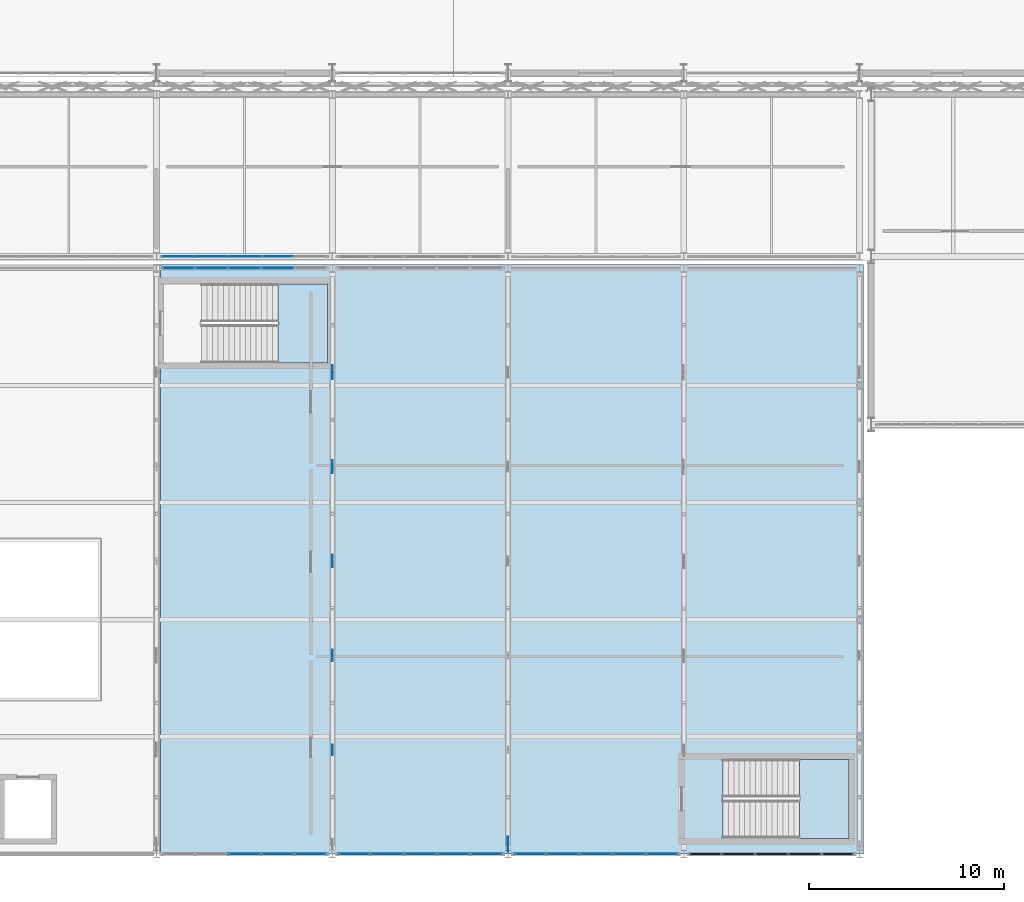
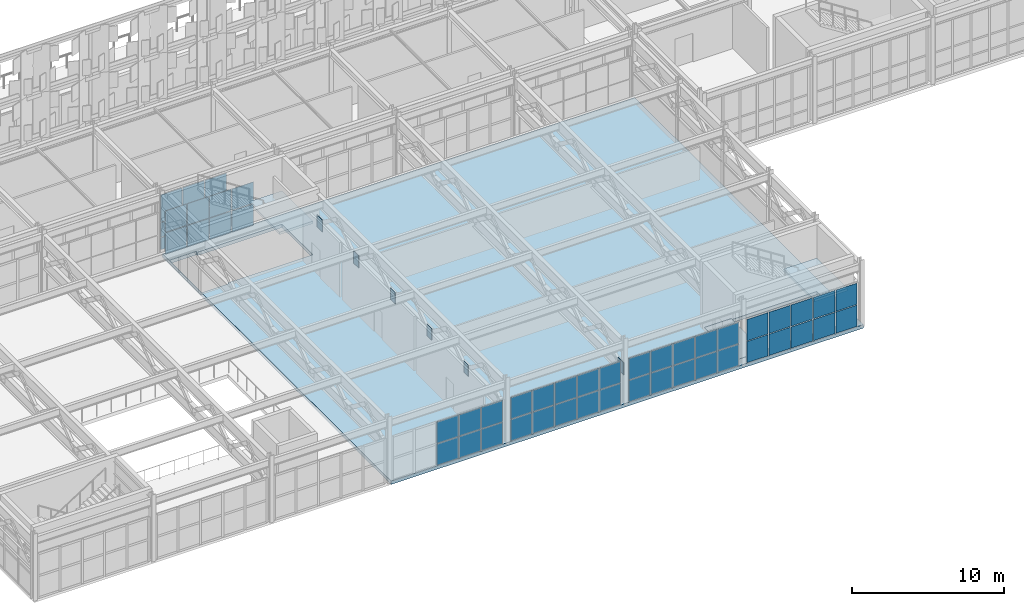
# One storey, part 133 of 210: 60 plates, 4 slabs, 8 elements without a shape of their own.
"""IFC4 building model written with IfcOpenShell, lengths in metres."""

from ifc_helpers import new_model, si_unit, direction, frame, origin, origin_2d, place, context, subcontext, project, spatial, polyline, rectangle, outline, extrude, material, layer, layer_set, type_object, element, aggregate, save


model = new_model("IFC4")

# Units and contexts
model_context = context("Model", 3, precision=1e-05, world=origin(), true_north=direction((0.0, 1.0)))
body_context = subcontext(model_context, "Body", "Model", "MODEL_VIEW")
ifc_project = project(units=[si_unit("LENGTHUNIT", "METRE"), si_unit("AREAUNIT", "SQUARE_METRE"), si_unit("VOLUMEUNIT", "CUBIC_METRE"), si_unit("PLANEANGLEUNIT", "RADIAN"), si_unit("MASSUNIT", "GRAM", prefix="KILO")], contexts=[model_context])

# Site, building, storey
site_placement = place(None, origin())
site = spatial("IfcSite", under=ifc_project, at=site_placement, CompositionType="ELEMENT")
building_placement = place(site_placement, origin())
building = spatial("IfcBuilding", under=site, at=building_placement, Name="Kaldris Quays Convention Centre", CompositionType="ELEMENT")
storey_placement = place(building_placement, frame((0.0, 0.0, 6.0)))
storey = spatial("IfcBuildingStorey", under=building, at=storey_placement, Name="L01", CompositionType="ELEMENT", Elevation=6.0)

# Curtain wall, plates
ifc_material_1 = material(Name="Anodized aluminium AW-6060 and triple glazing", Category="aluminium")
curtain_wall_type_1 = type_object("IfcCurtainWallType", Name="UNITISED CURTAIN WALL CW05", PredefinedType="NOTDEFINED", material=ifc_material_1)
curtain_wall_1_placement = place(storey_placement, origin())
curtain_wall_1 = element("IfcCurtainWall", 1, at=curtain_wall_1_placement, inside=storey, type_object=curtain_wall_type_1, Name="L01 Unitised Curtain Wall CW05 65", PredefinedType="NOTDEFINED")
ifc_material_2 = material(Name="Triple low-E insulated glazing", Category="glass")
plate_type_1 = type_object("IfcPlateType", Name="CURTAIN GLAZING PANEL CWP1", PredefinedType="CURTAIN_PANEL", material=ifc_material_2)
plate_1_placement = place(storey_placement, frame((51.5, 16.0, 0.06005859375), z_axis=(0.0, 0.0, 1.0), x_axis=(1.0, 0.0, 0.0)))
plate_1 = element("IfcPlate", 2, at=plate_1_placement, type_object=plate_type_1, Name="CW05 panel 3.1", PredefinedType="CURTAIN_PANEL", context=body_context, shape_type="SweptSolid", body=[
    extrude(rectangle(XDim=1.639892578125, YDim=0.029052734375, at=origin_2d()), origin(), (0.0, 0.0, 1.0), 1.7099609375),
])
plate_2_placement = place(storey_placement, frame((51.5, 16.0, 1.830078125), z_axis=(0.0, 0.0, 1.0), x_axis=(1.0, 0.0, 0.0)))
plate_2 = element("IfcPlate", 3, at=plate_2_placement, type_object=plate_type_1, Name="CW05 panel 3.2", PredefinedType="CURTAIN_PANEL", context=body_context, shape_type="SweptSolid", body=[
    extrude(rectangle(XDim=1.639892578125, YDim=0.029052734375, at=origin_2d()), origin(), (0.0, 0.0, 1.0), 1.7099609375),
])
plate_3_placement = place(storey_placement, frame((53.199951171875, 16.0, 0.06005859375), z_axis=(0.0, 0.0, 1.0), x_axis=(1.0, 0.0, 0.0)))
plate_3 = element("IfcPlate", 4, at=plate_3_placement, type_object=plate_type_1, Name="CW05 panel 4.1", PredefinedType="CURTAIN_PANEL", context=body_context, shape_type="SweptSolid", body=[
    extrude(rectangle(XDim=1.639892578125, YDim=0.029052734375, at=origin_2d()), origin(), (0.0, 0.0, 1.0), 1.7099609375),
])
plate_4_placement = place(storey_placement, frame((53.199951171875, 16.0, 1.830078125), z_axis=(0.0, 0.0, 1.0), x_axis=(1.0, 0.0, 0.0)))
plate_4 = element("IfcPlate", 5, at=plate_4_placement, type_object=plate_type_1, Name="CW05 panel 4.2", PredefinedType="CURTAIN_PANEL", context=body_context, shape_type="SweptSolid", body=[
    extrude(rectangle(XDim=1.639892578125, YDim=0.029052734375, at=origin_2d()), origin(), (0.0, 0.0, 1.0), 1.7099609375),
])
plate_5_placement = place(storey_placement, frame((54.885009765625, 16.0, 0.06005859375), z_axis=(0.0, 0.0, 1.0), x_axis=(1.0, 0.0, 0.0)))
plate_5 = element("IfcPlate", 6, at=plate_5_placement, type_object=plate_type_1, Name="CW05 panel 5.1", PredefinedType="CURTAIN_PANEL", context=body_context, shape_type="SweptSolid", body=[
    extrude(rectangle(XDim=1.610107421875, YDim=0.029052734375, at=origin_2d()), origin(), (0.0, 0.0, 1.0), 1.7099609375),
])
plate_6_placement = place(storey_placement, frame((54.885009765625, 16.0, 1.830078125), z_axis=(0.0, 0.0, 1.0), x_axis=(1.0, 0.0, 0.0)))
plate_6 = element("IfcPlate", 7, at=plate_6_placement, type_object=plate_type_1, Name="CW05 panel 5.2", PredefinedType="CURTAIN_PANEL", context=body_context, shape_type="SweptSolid", body=[
    extrude(rectangle(XDim=1.610107421875, YDim=0.029052734375, at=origin_2d()), origin(), (0.0, 0.0, 1.0), 1.7099609375),
])
aggregate(curtain_wall_1, [plate_1, plate_2, plate_3, plate_4, plate_5, plate_6])

curtain_wall_2_placement = place(storey_placement, origin())
curtain_wall_2 = element("IfcCurtainWall", 8, at=curtain_wall_2_placement, inside=storey, type_object=curtain_wall_type_1, Name="L01 Unitised Curtain Wall CW05 66", PredefinedType="NOTDEFINED")
plate_type_2 = type_object("IfcPlateType", Name="CURTAIN GLAZING PANEL CWP2", PredefinedType="CURTAIN_PANEL", material=ifc_material_2)
plate_7_placement = place(storey_placement, frame((48.114990234375, 46.0, 0.06005859375), z_axis=(0.0, 0.0, 1.0), x_axis=(1.0, 0.0, 0.0)))
plate_7 = element("IfcPlate", 9, at=plate_7_placement, type_object=plate_type_2, Name="CW05 panel 1.1", PredefinedType="CURTAIN_PANEL", context=body_context, shape_type="SweptSolid", body=[
    extrude(rectangle(XDim=1.610107421875, YDim=0.033935546875, at=origin_2d()), origin(), (0.0, 0.0, 1.0), 1.7099609375),
])
plate_8_placement = place(storey_placement, frame((48.114990234375, 46.0, 1.830078125), z_axis=(0.0, 0.0, 1.0), x_axis=(1.0, 0.0, 0.0)))
plate_8 = element("IfcPlate", 10, at=plate_8_placement, type_object=plate_type_2, Name="CW05 panel 1.2", PredefinedType="CURTAIN_PANEL", context=body_context, shape_type="SweptSolid", body=[
    extrude(rectangle(XDim=1.610107421875, YDim=0.033935546875, at=origin_2d()), origin(), (0.0, 0.0, 1.0), 1.7099609375),
])
plate_9_placement = place(storey_placement, frame((49.800048828125, 46.0, 0.06005859375), z_axis=(0.0, 0.0, 1.0), x_axis=(1.0, 0.0, 0.0)))
plate_9 = element("IfcPlate", 11, at=plate_9_placement, type_object=plate_type_2, Name="CW05 panel 2.1", PredefinedType="CURTAIN_PANEL", context=body_context, shape_type="SweptSolid", body=[
    extrude(rectangle(XDim=1.639892578125, YDim=0.033935546875, at=origin_2d()), origin(), (0.0, 0.0, 1.0), 1.7099609375),
])
plate_10_placement = place(storey_placement, frame((49.800048828125, 46.0, 1.830078125), z_axis=(0.0, 0.0, 1.0), x_axis=(1.0, 0.0, 0.0)))
plate_10 = element("IfcPlate", 12, at=plate_10_placement, type_object=plate_type_2, Name="CW05 panel 2.2", PredefinedType="CURTAIN_PANEL", context=body_context, shape_type="SweptSolid", body=[
    extrude(rectangle(XDim=1.639892578125, YDim=0.033935546875, at=origin_2d()), origin(), (0.0, 0.0, 1.0), 1.7099609375),
])
plate_11_placement = place(storey_placement, frame((51.5, 46.0, 0.06005859375), z_axis=(0.0, 0.0, 1.0), x_axis=(1.0, 0.0, 0.0)))
plate_11 = element("IfcPlate", 13, at=plate_11_placement, type_object=plate_type_2, Name="CW05 panel 3.1", PredefinedType="CURTAIN_PANEL", context=body_context, shape_type="SweptSolid", body=[
    extrude(rectangle(XDim=1.639892578125, YDim=0.033935546875, at=origin_2d()), origin(), (0.0, 0.0, 1.0), 1.7099609375),
])
plate_12_placement = place(storey_placement, frame((51.5, 46.0, 1.830078125), z_axis=(0.0, 0.0, 1.0), x_axis=(1.0, 0.0, 0.0)))
plate_12 = element("IfcPlate", 14, at=plate_12_placement, type_object=plate_type_2, Name="CW05 panel 3.2", PredefinedType="CURTAIN_PANEL", context=body_context, shape_type="SweptSolid", body=[
    extrude(rectangle(XDim=1.639892578125, YDim=0.033935546875, at=origin_2d()), origin(), (0.0, 0.0, 1.0), 1.7099609375),
])
plate_13_placement = place(storey_placement, frame((53.199951171875, 46.0, 0.06005859375), z_axis=(0.0, 0.0, 1.0), x_axis=(1.0, 0.0, 0.0)))
plate_13 = element("IfcPlate", 15, at=plate_13_placement, type_object=plate_type_2, Name="CW05 panel 4.1", PredefinedType="CURTAIN_PANEL", context=body_context, shape_type="SweptSolid", body=[
    extrude(rectangle(XDim=1.639892578125, YDim=0.033935546875, at=origin_2d()), origin(), (0.0, 0.0, 1.0), 1.7099609375),
])
plate_14_placement = place(storey_placement, frame((53.199951171875, 46.0, 1.830078125), z_axis=(0.0, 0.0, 1.0), x_axis=(1.0, 0.0, 0.0)))
plate_14 = element("IfcPlate", 16, at=plate_14_placement, type_object=plate_type_2, Name="CW05 panel 4.2", PredefinedType="CURTAIN_PANEL", context=body_context, shape_type="SweptSolid", body=[
    extrude(rectangle(XDim=1.639892578125, YDim=0.033935546875, at=origin_2d()), origin(), (0.0, 0.0, 1.0), 1.7099609375),
])
aggregate(curtain_wall_2, [plate_7, plate_8, plate_9, plate_10, plate_11, plate_12, plate_13, plate_14])

curtain_wall_3_placement = place(storey_placement, origin())
curtain_wall_3 = element("IfcCurtainWall", 17, at=curtain_wall_3_placement, inside=storey, type_object=curtain_wall_type_1, Name="L01 Unitised Curtain Wall CW05 67", PredefinedType="NOTDEFINED")
plate_type_3 = type_object("IfcPlateType", Name="CURTAIN GLAZING PANEL CWP3", PredefinedType="CURTAIN_PANEL", material=ifc_material_2)
plate_15_placement = place(storey_placement, frame((57.114990234375, 16.0, 0.06005859375), z_axis=(0.0, 0.0, 1.0), x_axis=(1.0, 0.0, 0.0)))
plate_15 = element("IfcPlate", 18, at=plate_15_placement, type_object=plate_type_3, Name="CW05 panel 1.1", PredefinedType="CURTAIN_PANEL", context=body_context, shape_type="SweptSolid", body=[
    extrude(rectangle(XDim=1.610107421875, YDim=0.0390625, at=origin_2d()), origin(), (0.0, 0.0, 1.0), 1.7099609375),
])
plate_16_placement = place(storey_placement, frame((57.114990234375, 16.0, 1.830078125), z_axis=(0.0, 0.0, 1.0), x_axis=(1.0, 0.0, 0.0)))
plate_16 = element("IfcPlate", 19, at=plate_16_placement, type_object=plate_type_3, Name="CW05 panel 1.2", PredefinedType="CURTAIN_PANEL", context=body_context, shape_type="SweptSolid", body=[
    extrude(rectangle(XDim=1.610107421875, YDim=0.0390625, at=origin_2d()), origin(), (0.0, 0.0, 1.0), 1.7099609375),
])
plate_17_placement = place(storey_placement, frame((58.800048828125, 16.0, 0.06005859375), z_axis=(0.0, 0.0, 1.0), x_axis=(1.0, 0.0, 0.0)))
plate_17 = element("IfcPlate", 20, at=plate_17_placement, type_object=plate_type_3, Name="CW05 panel 2.1", PredefinedType="CURTAIN_PANEL", context=body_context, shape_type="SweptSolid", body=[
    extrude(rectangle(XDim=1.639892578125, YDim=0.0390625, at=origin_2d()), origin(), (0.0, 0.0, 1.0), 1.7099609375),
])
plate_18_placement = place(storey_placement, frame((58.800048828125, 16.0, 1.830078125), z_axis=(0.0, 0.0, 1.0), x_axis=(1.0, 0.0, 0.0)))
plate_18 = element("IfcPlate", 21, at=plate_18_placement, type_object=plate_type_3, Name="CW05 panel 2.2", PredefinedType="CURTAIN_PANEL", context=body_context, shape_type="SweptSolid", body=[
    extrude(rectangle(XDim=1.639892578125, YDim=0.0390625, at=origin_2d()), origin(), (0.0, 0.0, 1.0), 1.7099609375),
])
plate_19_placement = place(storey_placement, frame((60.5, 16.0, 0.06005859375), z_axis=(0.0, 0.0, 1.0), x_axis=(1.0, 0.0, 0.0)))
plate_19 = element("IfcPlate", 22, at=plate_19_placement, type_object=plate_type_3, Name="CW05 panel 3.1", PredefinedType="CURTAIN_PANEL", context=body_context, shape_type="SweptSolid", body=[
    extrude(rectangle(XDim=1.639892578125, YDim=0.0390625, at=origin_2d()), origin(), (0.0, 0.0, 1.0), 1.7099609375),
])
plate_20_placement = place(storey_placement, frame((60.5, 16.0, 1.830078125), z_axis=(0.0, 0.0, 1.0), x_axis=(1.0, 0.0, 0.0)))
plate_20 = element("IfcPlate", 23, at=plate_20_placement, type_object=plate_type_3, Name="CW05 panel 3.2", PredefinedType="CURTAIN_PANEL", context=body_context, shape_type="SweptSolid", body=[
    extrude(rectangle(XDim=1.639892578125, YDim=0.0390625, at=origin_2d()), origin(), (0.0, 0.0, 1.0), 1.7099609375),
])
plate_21_placement = place(storey_placement, frame((62.199951171875, 16.0, 0.06005859375), z_axis=(0.0, 0.0, 1.0), x_axis=(1.0, 0.0, 0.0)))
plate_21 = element("IfcPlate", 24, at=plate_21_placement, type_object=plate_type_3, Name="CW05 panel 4.1", PredefinedType="CURTAIN_PANEL", context=body_context, shape_type="SweptSolid", body=[
    extrude(rectangle(XDim=1.639892578125, YDim=0.0390625, at=origin_2d()), origin(), (0.0, 0.0, 1.0), 1.7099609375),
])
plate_22_placement = place(storey_placement, frame((62.199951171875, 16.0, 1.830078125), z_axis=(0.0, 0.0, 1.0), x_axis=(1.0, 0.0, 0.0)))
plate_22 = element("IfcPlate", 25, at=plate_22_placement, type_object=plate_type_3, Name="CW05 panel 4.2", PredefinedType="CURTAIN_PANEL", context=body_context, shape_type="SweptSolid", body=[
    extrude(rectangle(XDim=1.639892578125, YDim=0.0390625, at=origin_2d()), origin(), (0.0, 0.0, 1.0), 1.7099609375),
])
plate_23_placement = place(storey_placement, frame((63.885009765625, 16.0, 0.06005859375), z_axis=(0.0, 0.0, 1.0), x_axis=(1.0, 0.0, 0.0)))
plate_23 = element("IfcPlate", 26, at=plate_23_placement, type_object=plate_type_3, Name="CW05 panel 5.1", PredefinedType="CURTAIN_PANEL", context=body_context, shape_type="SweptSolid", body=[
    extrude(rectangle(XDim=1.610107421875, YDim=0.0390625, at=origin_2d()), origin(), (0.0, 0.0, 1.0), 1.7099609375),
])
plate_24_placement = place(storey_placement, frame((63.885009765625, 16.0, 1.830078125), z_axis=(0.0, 0.0, 1.0), x_axis=(1.0, 0.0, 0.0)))
plate_24 = element("IfcPlate", 27, at=plate_24_placement, type_object=plate_type_3, Name="CW05 panel 5.2", PredefinedType="CURTAIN_PANEL", context=body_context, shape_type="SweptSolid", body=[
    extrude(rectangle(XDim=1.610107421875, YDim=0.0390625, at=origin_2d()), origin(), (0.0, 0.0, 1.0), 1.7099609375),
])
aggregate(curtain_wall_3, [plate_15, plate_16, plate_17, plate_18, plate_19, plate_20, plate_21, plate_22, plate_23, plate_24])

curtain_wall_type_2 = type_object("IfcCurtainWallType", Name="UNITISED CURTAIN WALL CW02", PredefinedType="NOTDEFINED", material=ifc_material_1)
curtain_wall_4_placement = place(storey_placement, origin())
curtain_wall_4 = element("IfcCurtainWall", 28, at=curtain_wall_4_placement, inside=storey, type_object=curtain_wall_type_2, Name="L01 Unitised Curtain Wall CW02 92", PredefinedType="NOTDEFINED")
plate_type_4 = type_object("IfcPlateType", Name="CURTAIN GLAZING PANEL CWP4", PredefinedType="CURTAIN_PANEL", material=ifc_material_2)
plate_25_placement = place(storey_placement, frame((48.114990234375, 46.60009765625, 0.06005859375), z_axis=(0.0, 0.0, 1.0), x_axis=(1.0, 0.0, 0.0)))
plate_25 = element("IfcPlate", 29, at=plate_25_placement, type_object=plate_type_4, Name="CW02 panel 1.1", PredefinedType="CURTAIN_PANEL", context=body_context, shape_type="SweptSolid", body=[
    extrude(rectangle(XDim=1.610107421875, YDim=0.0439453125, at=origin_2d()), origin(), (0.0, 0.0, 1.0), 0.9599609375),
])
plate_26_placement = place(storey_placement, frame((48.114990234375, 46.60009765625, 1.080078125), z_axis=(0.0, 0.0, 1.0), x_axis=(1.0, 0.0, 0.0)))
plate_26 = element("IfcPlate", 30, at=plate_26_placement, type_object=plate_type_4, Name="CW02 panel 1.2", PredefinedType="CURTAIN_PANEL", context=body_context, shape_type="SweptSolid", body=[
    extrude(rectangle(XDim=1.610107421875, YDim=0.0439453125, at=origin_2d()), origin(), (0.0, 0.0, 1.0), 1.154052734375),
])
plate_27_placement = place(storey_placement, frame((48.114990234375, 46.60009765625, 2.2939453125), z_axis=(0.0, 0.0, 1.0), x_axis=(1.0, 0.0, 0.0)))
plate_27 = element("IfcPlate", 31, at=plate_27_placement, type_object=plate_type_4, Name="CW02 panel 1.3", PredefinedType="CURTAIN_PANEL", context=body_context, shape_type="SweptSolid", body=[
    extrude(rectangle(XDim=1.610107421875, YDim=0.0439453125, at=origin_2d()), origin(), (0.0, 0.0, 1.0), 2.174072265625),
])
plate_28_placement = place(storey_placement, frame((49.800048828125, 46.60009765625, 0.06005859375), z_axis=(0.0, 0.0, 1.0), x_axis=(1.0, 0.0, 0.0)))
plate_28 = element("IfcPlate", 32, at=plate_28_placement, type_object=plate_type_4, Name="CW02 panel 2.1", PredefinedType="CURTAIN_PANEL", context=body_context, shape_type="SweptSolid", body=[
    extrude(rectangle(XDim=1.639892578125, YDim=0.0439453125, at=origin_2d()), origin(), (0.0, 0.0, 1.0), 0.9599609375),
])
plate_29_placement = place(storey_placement, frame((49.800048828125, 46.60009765625, 1.080078125), z_axis=(0.0, 0.0, 1.0), x_axis=(1.0, 0.0, 0.0)))
plate_29 = element("IfcPlate", 33, at=plate_29_placement, type_object=plate_type_4, Name="CW02 panel 2.2", PredefinedType="CURTAIN_PANEL", context=body_context, shape_type="SweptSolid", body=[
    extrude(rectangle(XDim=1.639892578125, YDim=0.0439453125, at=origin_2d()), origin(), (0.0, 0.0, 1.0), 1.154052734375),
])
plate_30_placement = place(storey_placement, frame((49.800048828125, 46.60009765625, 2.2939453125), z_axis=(0.0, 0.0, 1.0), x_axis=(1.0, 0.0, 0.0)))
plate_30 = element("IfcPlate", 34, at=plate_30_placement, type_object=plate_type_4, Name="CW02 panel 2.3", PredefinedType="CURTAIN_PANEL", context=body_context, shape_type="SweptSolid", body=[
    extrude(rectangle(XDim=1.639892578125, YDim=0.0439453125, at=origin_2d()), origin(), (0.0, 0.0, 1.0), 2.174072265625),
])
plate_31_placement = place(storey_placement, frame((51.5, 46.60009765625, 0.06005859375), z_axis=(0.0, 0.0, 1.0), x_axis=(1.0, 0.0, 0.0)))
plate_31 = element("IfcPlate", 35, at=plate_31_placement, type_object=plate_type_4, Name="CW02 panel 3.1", PredefinedType="CURTAIN_PANEL", context=body_context, shape_type="SweptSolid", body=[
    extrude(rectangle(XDim=1.639892578125, YDim=0.0439453125, at=origin_2d()), origin(), (0.0, 0.0, 1.0), 0.9599609375),
])
plate_32_placement = place(storey_placement, frame((51.5, 46.60009765625, 1.080078125), z_axis=(0.0, 0.0, 1.0), x_axis=(1.0, 0.0, 0.0)))
plate_32 = element("IfcPlate", 36, at=plate_32_placement, type_object=plate_type_4, Name="CW02 panel 3.2", PredefinedType="CURTAIN_PANEL", context=body_context, shape_type="SweptSolid", body=[
    extrude(rectangle(XDim=1.639892578125, YDim=0.0439453125, at=origin_2d()), origin(), (0.0, 0.0, 1.0), 1.154052734375),
])
plate_33_placement = place(storey_placement, frame((51.5, 46.60009765625, 2.2939453125), z_axis=(0.0, 0.0, 1.0), x_axis=(1.0, 0.0, 0.0)))
plate_33 = element("IfcPlate", 37, at=plate_33_placement, type_object=plate_type_4, Name="CW02 panel 3.3", PredefinedType="CURTAIN_PANEL", context=body_context, shape_type="SweptSolid", body=[
    extrude(rectangle(XDim=1.639892578125, YDim=0.0439453125, at=origin_2d()), origin(), (0.0, 0.0, 1.0), 2.174072265625),
])
plate_34_placement = place(storey_placement, frame((53.199951171875, 46.60009765625, 0.06005859375), z_axis=(0.0, 0.0, 1.0), x_axis=(1.0, 0.0, 0.0)))
plate_34 = element("IfcPlate", 38, at=plate_34_placement, type_object=plate_type_4, Name="CW02 panel 4.1", PredefinedType="CURTAIN_PANEL", context=body_context, shape_type="SweptSolid", body=[
    extrude(rectangle(XDim=1.639892578125, YDim=0.0439453125, at=origin_2d()), origin(), (0.0, 0.0, 1.0), 0.9599609375),
])
aggregate(curtain_wall_4, [plate_25, plate_26, plate_27, plate_28, plate_29, plate_30, plate_31, plate_32, plate_33, plate_34])

curtain_wall_5_placement = place(storey_placement, origin())
curtain_wall_5 = element("IfcCurtainWall", 39, at=curtain_wall_5_placement, inside=storey, type_object=curtain_wall_type_1, Name="L01 Unitised Curtain Wall CW05 69", PredefinedType="NOTDEFINED")
plate_type_5 = type_object("IfcPlateType", Name="CURTAIN GLAZING PANEL CWP5", PredefinedType="CURTAIN_PANEL", material=ifc_material_2)
plate_35_placement = place(storey_placement, frame((66.114990234375, 16.0, 0.06005859375), z_axis=(0.0, 0.0, 1.0), x_axis=(1.0, 0.0, 0.0)))
plate_35 = element("IfcPlate", 40, at=plate_35_placement, type_object=plate_type_5, Name="CW05 panel 1.1", PredefinedType="CURTAIN_PANEL", context=body_context, shape_type="SweptSolid", body=[
    extrude(rectangle(XDim=1.610107421875, YDim=0.049072265625, at=origin_2d()), origin(), (0.0, 0.0, 1.0), 1.7099609375),
])
plate_36_placement = place(storey_placement, frame((66.114990234375, 16.0, 1.830078125), z_axis=(0.0, 0.0, 1.0), x_axis=(1.0, 0.0, 0.0)))
plate_36 = element("IfcPlate", 41, at=plate_36_placement, type_object=plate_type_5, Name="CW05 panel 1.2", PredefinedType="CURTAIN_PANEL", context=body_context, shape_type="SweptSolid", body=[
    extrude(rectangle(XDim=1.610107421875, YDim=0.049072265625, at=origin_2d()), origin(), (0.0, 0.0, 1.0), 1.7099609375),
])
plate_37_placement = place(storey_placement, frame((67.800048828125, 16.0, 0.06005859375), z_axis=(0.0, 0.0, 1.0), x_axis=(1.0, 0.0, 0.0)))
plate_37 = element("IfcPlate", 42, at=plate_37_placement, type_object=plate_type_5, Name="CW05 panel 2.1", PredefinedType="CURTAIN_PANEL", context=body_context, shape_type="SweptSolid", body=[
    extrude(rectangle(XDim=1.639892578125, YDim=0.049072265625, at=origin_2d()), origin(), (0.0, 0.0, 1.0), 1.7099609375),
])
plate_38_placement = place(storey_placement, frame((67.800048828125, 16.0, 1.830078125), z_axis=(0.0, 0.0, 1.0), x_axis=(1.0, 0.0, 0.0)))
plate_38 = element("IfcPlate", 43, at=plate_38_placement, type_object=plate_type_5, Name="CW05 panel 2.2", PredefinedType="CURTAIN_PANEL", context=body_context, shape_type="SweptSolid", body=[
    extrude(rectangle(XDim=1.639892578125, YDim=0.049072265625, at=origin_2d()), origin(), (0.0, 0.0, 1.0), 1.7099609375),
])
plate_39_placement = place(storey_placement, frame((69.5, 16.0, 0.06005859375), z_axis=(0.0, 0.0, 1.0), x_axis=(1.0, 0.0, 0.0)))
plate_39 = element("IfcPlate", 44, at=plate_39_placement, type_object=plate_type_5, Name="CW05 panel 3.1", PredefinedType="CURTAIN_PANEL", context=body_context, shape_type="SweptSolid", body=[
    extrude(rectangle(XDim=1.639892578125, YDim=0.049072265625, at=origin_2d()), origin(), (0.0, 0.0, 1.0), 1.7099609375),
])
plate_40_placement = place(storey_placement, frame((69.5, 16.0, 1.830078125), z_axis=(0.0, 0.0, 1.0), x_axis=(1.0, 0.0, 0.0)))
plate_40 = element("IfcPlate", 45, at=plate_40_placement, type_object=plate_type_5, Name="CW05 panel 3.2", PredefinedType="CURTAIN_PANEL", context=body_context, shape_type="SweptSolid", body=[
    extrude(rectangle(XDim=1.639892578125, YDim=0.049072265625, at=origin_2d()), origin(), (0.0, 0.0, 1.0), 1.7099609375),
])
plate_41_placement = place(storey_placement, frame((71.199951171875, 16.0, 0.06005859375), z_axis=(0.0, 0.0, 1.0), x_axis=(1.0, 0.0, 0.0)))
plate_41 = element("IfcPlate", 46, at=plate_41_placement, type_object=plate_type_5, Name="CW05 panel 4.1", PredefinedType="CURTAIN_PANEL", context=body_context, shape_type="SweptSolid", body=[
    extrude(rectangle(XDim=1.639892578125, YDim=0.049072265625, at=origin_2d()), origin(), (0.0, 0.0, 1.0), 1.7099609375),
])
plate_42_placement = place(storey_placement, frame((71.199951171875, 16.0, 1.830078125), z_axis=(0.0, 0.0, 1.0), x_axis=(1.0, 0.0, 0.0)))
plate_42 = element("IfcPlate", 47, at=plate_42_placement, type_object=plate_type_5, Name="CW05 panel 4.2", PredefinedType="CURTAIN_PANEL", context=body_context, shape_type="SweptSolid", body=[
    extrude(rectangle(XDim=1.639892578125, YDim=0.049072265625, at=origin_2d()), origin(), (0.0, 0.0, 1.0), 1.7099609375),
])
plate_43_placement = place(storey_placement, frame((72.885009765625, 16.0, 0.06005859375), z_axis=(0.0, 0.0, 1.0), x_axis=(1.0, 0.0, 0.0)))
plate_43 = element("IfcPlate", 48, at=plate_43_placement, type_object=plate_type_5, Name="CW05 panel 5.1", PredefinedType="CURTAIN_PANEL", context=body_context, shape_type="SweptSolid", body=[
    extrude(rectangle(XDim=1.610107421875, YDim=0.049072265625, at=origin_2d()), origin(), (0.0, 0.0, 1.0), 1.7099609375),
])
plate_44_placement = place(storey_placement, frame((72.885009765625, 16.0, 1.830078125), z_axis=(0.0, 0.0, 1.0), x_axis=(1.0, 0.0, 0.0)))
plate_44 = element("IfcPlate", 49, at=plate_44_placement, type_object=plate_type_5, Name="CW05 panel 5.2", PredefinedType="CURTAIN_PANEL", context=body_context, shape_type="SweptSolid", body=[
    extrude(rectangle(XDim=1.610107421875, YDim=0.049072265625, at=origin_2d()), origin(), (0.0, 0.0, 1.0), 1.7099609375),
])
aggregate(curtain_wall_5, [plate_35, plate_36, plate_37, plate_38, plate_39, plate_40, plate_41, plate_42, plate_43, plate_44])

curtain_wall_6_placement = place(storey_placement, origin())
curtain_wall_6 = element("IfcCurtainWall", 50, at=curtain_wall_6_placement, inside=storey, type_object=curtain_wall_type_1, Name="L01 Unitised Curtain Wall CW05 71", PredefinedType="NOTDEFINED")
plate_type_6 = type_object("IfcPlateType", Name="CURTAIN GLAZING PANEL CWP7", PredefinedType="CURTAIN_PANEL", material=ifc_material_2)
plate_45_placement = place(storey_placement, frame((75.114990234375, 16.0, 0.06005859375), z_axis=(0.0, 0.0, 1.0), x_axis=(1.0, 0.0, 0.0)))
plate_45 = element("IfcPlate", 51, at=plate_45_placement, type_object=plate_type_6, Name="CW05 panel 1.1", PredefinedType="CURTAIN_PANEL", context=body_context, shape_type="SweptSolid", body=[
    extrude(rectangle(XDim=1.610107421875, YDim=0.05908203125, at=origin_2d()), origin(), (0.0, 0.0, 1.0), 1.7099609375),
])
plate_46_placement = place(storey_placement, frame((75.114990234375, 16.0, 1.830078125), z_axis=(0.0, 0.0, 1.0), x_axis=(1.0, 0.0, 0.0)))
plate_46 = element("IfcPlate", 52, at=plate_46_placement, type_object=plate_type_6, Name="CW05 panel 1.2", PredefinedType="CURTAIN_PANEL", context=body_context, shape_type="SweptSolid", body=[
    extrude(rectangle(XDim=1.610107421875, YDim=0.05908203125, at=origin_2d()), origin(), (0.0, 0.0, 1.0), 1.7099609375),
])
plate_47_placement = place(storey_placement, frame((76.800048828125, 16.0, 0.06005859375), z_axis=(0.0, 0.0, 1.0), x_axis=(1.0, 0.0, 0.0)))
plate_47 = element("IfcPlate", 53, at=plate_47_placement, type_object=plate_type_6, Name="CW05 panel 2.1", PredefinedType="CURTAIN_PANEL", context=body_context, shape_type="SweptSolid", body=[
    extrude(rectangle(XDim=1.639892578125, YDim=0.05908203125, at=origin_2d()), origin(), (0.0, 0.0, 1.0), 1.7099609375),
])
plate_48_placement = place(storey_placement, frame((76.800048828125, 16.0, 1.830078125), z_axis=(0.0, 0.0, 1.0), x_axis=(1.0, 0.0, 0.0)))
plate_48 = element("IfcPlate", 54, at=plate_48_placement, type_object=plate_type_6, Name="CW05 panel 2.2", PredefinedType="CURTAIN_PANEL", context=body_context, shape_type="SweptSolid", body=[
    extrude(rectangle(XDim=1.639892578125, YDim=0.05908203125, at=origin_2d()), origin(), (0.0, 0.0, 1.0), 1.7099609375),
])
plate_49_placement = place(storey_placement, frame((78.5, 16.0, 0.06005859375), z_axis=(0.0, 0.0, 1.0), x_axis=(1.0, 0.0, 0.0)))
plate_49 = element("IfcPlate", 55, at=plate_49_placement, type_object=plate_type_6, Name="CW05 panel 3.1", PredefinedType="CURTAIN_PANEL", context=body_context, shape_type="SweptSolid", body=[
    extrude(rectangle(XDim=1.639892578125, YDim=0.05908203125, at=origin_2d()), origin(), (0.0, 0.0, 1.0), 1.7099609375),
])
plate_50_placement = place(storey_placement, frame((78.5, 16.0, 1.830078125), z_axis=(0.0, 0.0, 1.0), x_axis=(1.0, 0.0, 0.0)))
plate_50 = element("IfcPlate", 56, at=plate_50_placement, type_object=plate_type_6, Name="CW05 panel 3.2", PredefinedType="CURTAIN_PANEL", context=body_context, shape_type="SweptSolid", body=[
    extrude(rectangle(XDim=1.639892578125, YDim=0.05908203125, at=origin_2d()), origin(), (0.0, 0.0, 1.0), 1.7099609375),
])
plate_51_placement = place(storey_placement, frame((80.199951171875, 16.0, 0.06005859375), z_axis=(0.0, 0.0, 1.0), x_axis=(1.0, 0.0, 0.0)))
plate_51 = element("IfcPlate", 57, at=plate_51_placement, type_object=plate_type_6, Name="CW05 panel 4.1", PredefinedType="CURTAIN_PANEL", context=body_context, shape_type="SweptSolid", body=[
    extrude(rectangle(XDim=1.639892578125, YDim=0.05908203125, at=origin_2d()), origin(), (0.0, 0.0, 1.0), 1.7099609375),
])
plate_52_placement = place(storey_placement, frame((80.199951171875, 16.0, 1.830078125), z_axis=(0.0, 0.0, 1.0), x_axis=(1.0, 0.0, 0.0)))
plate_52 = element("IfcPlate", 58, at=plate_52_placement, type_object=plate_type_6, Name="CW05 panel 4.2", PredefinedType="CURTAIN_PANEL", context=body_context, shape_type="SweptSolid", body=[
    extrude(rectangle(XDim=1.639892578125, YDim=0.05908203125, at=origin_2d()), origin(), (0.0, 0.0, 1.0), 1.7099609375),
])
plate_53_placement = place(storey_placement, frame((81.885009765625, 16.0, 0.06005859375), z_axis=(0.0, 0.0, 1.0), x_axis=(1.0, 0.0, 0.0)))
plate_53 = element("IfcPlate", 59, at=plate_53_placement, type_object=plate_type_6, Name="CW05 panel 5.1", PredefinedType="CURTAIN_PANEL", context=body_context, shape_type="SweptSolid", body=[
    extrude(rectangle(XDim=1.610107421875, YDim=0.05908203125, at=origin_2d()), origin(), (0.0, 0.0, 1.0), 1.7099609375),
])
plate_54_placement = place(storey_placement, frame((81.885009765625, 16.0, 1.830078125), z_axis=(0.0, 0.0, 1.0), x_axis=(1.0, 0.0, 0.0)))
plate_54 = element("IfcPlate", 60, at=plate_54_placement, type_object=plate_type_6, Name="CW05 panel 5.2", PredefinedType="CURTAIN_PANEL", context=body_context, shape_type="SweptSolid", body=[
    extrude(rectangle(XDim=1.610107421875, YDim=0.05908203125, at=origin_2d()), origin(), (0.0, 0.0, 1.0), 1.7099609375),
])
aggregate(curtain_wall_6, [plate_45, plate_46, plate_47, plate_48, plate_49, plate_50, plate_51, plate_52, plate_53, plate_54])

# Plates
ifc_material_3 = material(Name="Steel S355J2", Category="steel")
plate_type_7 = type_object("IfcPlateType", Name="GUSSET PLATE GP25", PredefinedType="USERDEFINED", material=ifc_material_3)
plate_55_placement = place(storey_placement, frame((56.0, 21.333251953125, 2.2900390625), z_axis=(0.0, 0.0, 1.0), x_axis=(1.0, 0.0, 0.0)))
element("IfcPlate", 61, at=plate_55_placement, inside=storey, type_object=plate_type_7, Name="Transfer Truss Gusset Plate GP25 25", ObjectType="GUSSET PLATE", PredefinedType="USERDEFINED", context=body_context, shape_type="SweptSolid", body=[
    extrude(rectangle(XDim=0.01806640625, YDim=0.5400390625, at=origin_2d()), origin(), (0.0, 0.0, 1.0), 0.919921875),
])
plate_type_8 = type_object("IfcPlateType", Name="GUSSET PLATE GP26", PredefinedType="USERDEFINED", material=ifc_material_3)
plate_56_placement = place(storey_placement, frame((56.0, 26.166748046875, 2.2900390625), z_axis=(0.0, 0.0, 1.0), x_axis=(1.0, 0.0, 0.0)))
element("IfcPlate", 62, at=plate_56_placement, inside=storey, type_object=plate_type_8, Name="Transfer Truss Gusset Plate GP26 26", ObjectType="GUSSET PLATE", PredefinedType="USERDEFINED", context=body_context, shape_type="SweptSolid", body=[
    extrude(rectangle(XDim=0.02001953125, YDim=0.5849609375, at=origin_2d()), origin(), (0.0, 0.0, 1.0), 0.919921875),
])
plate_type_9 = type_object("IfcPlateType", Name="GUSSET PLATE GP27", PredefinedType="USERDEFINED", material=ifc_material_3)
plate_57_placement = place(storey_placement, frame((56.0, 31.0, 2.2900390625), z_axis=(0.0, 0.0, 1.0), x_axis=(1.0, 0.0, 0.0)))
element("IfcPlate", 63, at=plate_57_placement, inside=storey, type_object=plate_type_9, Name="Transfer Truss Gusset Plate GP27 27", ObjectType="GUSSET PLATE", PredefinedType="USERDEFINED", context=body_context, shape_type="SweptSolid", body=[
    extrude(rectangle(XDim=0.02197265625, YDim=0.6298828125, at=origin_2d()), origin(), (0.0, 0.0, 1.0), 0.919921875),
])
plate_type_10 = type_object("IfcPlateType", Name="GUSSET PLATE GP28", PredefinedType="USERDEFINED", material=ifc_material_3)
plate_58_placement = place(storey_placement, frame((56.0, 35.833251953125, 2.25732421875), z_axis=(0.0, 0.0, 1.0), x_axis=(1.0, 0.0, 0.0)))
element("IfcPlate", 64, at=plate_58_placement, inside=storey, type_object=plate_type_10, Name="Transfer Truss Gusset Plate GP28 28", ObjectType="GUSSET PLATE", PredefinedType="USERDEFINED", context=body_context, shape_type="SweptSolid", body=[
    extrude(rectangle(XDim=0.02392578125, YDim=0.675048828125, at=origin_2d()), origin(), (0.0, 0.0, 1.0), 0.985107421875),
])
plate_type_11 = type_object("IfcPlateType", Name="GUSSET PLATE GP29", PredefinedType="USERDEFINED", material=ifc_material_3)
plate_59_placement = place(storey_placement, frame((56.0, 40.666748046875, 2.25732421875), z_axis=(0.0, 0.0, 1.0), x_axis=(1.0, 0.0, 0.0)))
element("IfcPlate", 65, at=plate_59_placement, inside=storey, type_object=plate_type_11, Name="Transfer Truss Gusset Plate GP29 29", ObjectType="GUSSET PLATE", PredefinedType="USERDEFINED", context=body_context, shape_type="SweptSolid", body=[
    extrude(rectangle(XDim=0.02587890625, YDim=0.719970703125, at=origin_2d()), origin(), (0.0, 0.0, 1.0), 0.985107421875),
])
plate_type_12 = type_object("IfcPlateType", Name="GUSSET PLATE GP30", PredefinedType="USERDEFINED", material=ifc_material_3)
plate_60_placement = place(storey_placement, frame((65.0, 16.5, 2.25732421875), z_axis=(0.0, 0.0, 1.0), x_axis=(1.0, 0.0, 0.0)))
element("IfcPlate", 66, at=plate_60_placement, inside=storey, type_object=plate_type_12, Name="Transfer Truss Gusset Plate GP30 30", ObjectType="GUSSET PLATE", PredefinedType="USERDEFINED", context=body_context, shape_type="SweptSolid", body=[
    extrude(rectangle(XDim=0.028076171875, YDim=0.764892578125, at=origin_2d()), origin(), (0.0, 0.0, 1.0), 0.985107421875),
])

# Stair, slab
ifc_material_4 = material(Name="Concrete C35/45", Category="concrete")
stair_type = type_object("IfcStairType", Name="DOGLEG ESCAPE STAIR STF1", PredefinedType="TWO_STRAIGHT_RUN_STAIR", material=ifc_material_4)
stair_1_placement = place(storey_placement, origin())
stair_1 = element("IfcStair", 67, at=stair_1_placement, inside=storey, type_object=stair_type, Name="L01 Escape Stair ST06", PredefinedType="TWO_STRAIGHT_RUN_STAIR")
ifc_layer_1 = layer(ifc_material_4, 0.205078125)
ifc_layer_set_1 = layer_set([ifc_layer_1], Name="Concrete C35/45")
slab_type_1 = type_object("IfcSlabType", Name="STAIR LANDING SLAB LS01", PredefinedType="LANDING", material=ifc_layer_set_1)
slab_1_placement = place(storey_placement, frame((0.0, 0.0, 2.4951171875)))
slab_1 = element("IfcSlab", 68, at=slab_1_placement, type_object=slab_type_1, Name="STF1 landing 1", PredefinedType="LANDING", context=body_context, shape_type="SweptSolid", body=[
    extrude(outline(polyline([(79.919921875, 16.800048828125), (82.449951171875, 16.800048828125), (82.449951171875, 20.85009765625), (79.919921875, 20.85009765625), (79.919921875, 16.800048828125)])), origin(), (0.0, 0.0, 1.0), 0.204833984375),
])
aggregate(stair_1, [slab_1])

stair_2_placement = place(storey_placement, origin())
stair_2 = element("IfcStair", 69, at=stair_2_placement, inside=storey, type_object=stair_type, Name="L01 Escape Stair ST07", PredefinedType="TWO_STRAIGHT_RUN_STAIR")
slab_2_placement = place(storey_placement, frame((0.0, 0.0, 2.4951171875)))
slab_2 = element("IfcSlab", 70, at=slab_2_placement, type_object=slab_type_1, Name="STF1 landing 1", PredefinedType="LANDING", context=body_context, shape_type="SweptSolid", body=[
    extrude(outline(polyline([(53.219970703125, 41.14990234375), (55.75, 41.14990234375), (55.75, 45.199951171875), (53.219970703125, 45.199951171875), (53.219970703125, 41.14990234375)])), origin(), (0.0, 0.0, 1.0), 0.204833984375),
])
aggregate(stair_2, [slab_2])

# Slabs
ifc_layer_2 = layer(ifc_material_4, 0.27490234375)
ifc_layer_set_2 = layer_set([ifc_layer_2], Name="Concrete C35/45")
slab_type_2 = type_object("IfcSlabType", Name="STRUCTURAL SLAB FS05", PredefinedType="FLOOR", material=ifc_layer_set_2)
slab_3_placement = place(storey_placement, frame((0.0, 0.0, -0.27490234375)))
element("IfcSlab", 71, at=slab_3_placement, inside=storey, type_object=slab_type_2, Name="L01 ST06 Core Floor Landing Slab", PredefinedType="FLOOR", context=body_context, shape_type="SweptSolid", body=[
    extrude(outline(polyline([(73.929931640625, 16.679931640625), (76.0, 16.679931640625), (76.0, 20.969970703125), (73.929931640625, 20.969970703125), (73.929931640625, 16.679931640625)])), origin(), (0.0, 0.0, 1.0), 0.27490234375),
])
slab_4_placement = place(storey_placement, frame((0.0, 0.0, -0.27490234375)))
element("IfcSlab", 72, at=slab_4_placement, inside=storey, type_object=slab_type_2, Name="L01 V3 Mezzanine B SLAB-L01-V3B", PredefinedType="FLOOR", context=body_context, shape_type="SweptSolid", body=[
    extrude(outline(polyline([(83.199951171875, 46.199951171875), (83.199951171875, 16.0), (47.201904296875, 16.0), (47.201904296875, 46.199951171875), (83.199951171875, 46.199951171875)]), holes=[polyline([(73.92919921875, 16.67822265625), (76.000244140625, 16.677978515625), (76.001953125, 16.800048828125), (82.449951171875, 16.800048828125), (82.449951171875, 20.85009765625), (76.001953125, 20.85009765625), (76.000244140625, 20.971923828125), (73.92919921875, 20.9716796875), (73.92919921875, 16.67822265625)]), polyline([(55.75, 41.14990234375), (55.75, 45.199951171875), (49.302001953125, 45.199951171875), (49.30029296875, 45.322021484375), (47.228271484375, 45.32080078125), (47.22900390625, 41.0283203125), (49.30029296875, 41.028076171875), (49.302001953125, 41.14990234375), (55.75, 41.14990234375)])]), origin(), (0.0, 0.0, 1.0), 0.27490234375),
])

save(model, "model.ifc")
